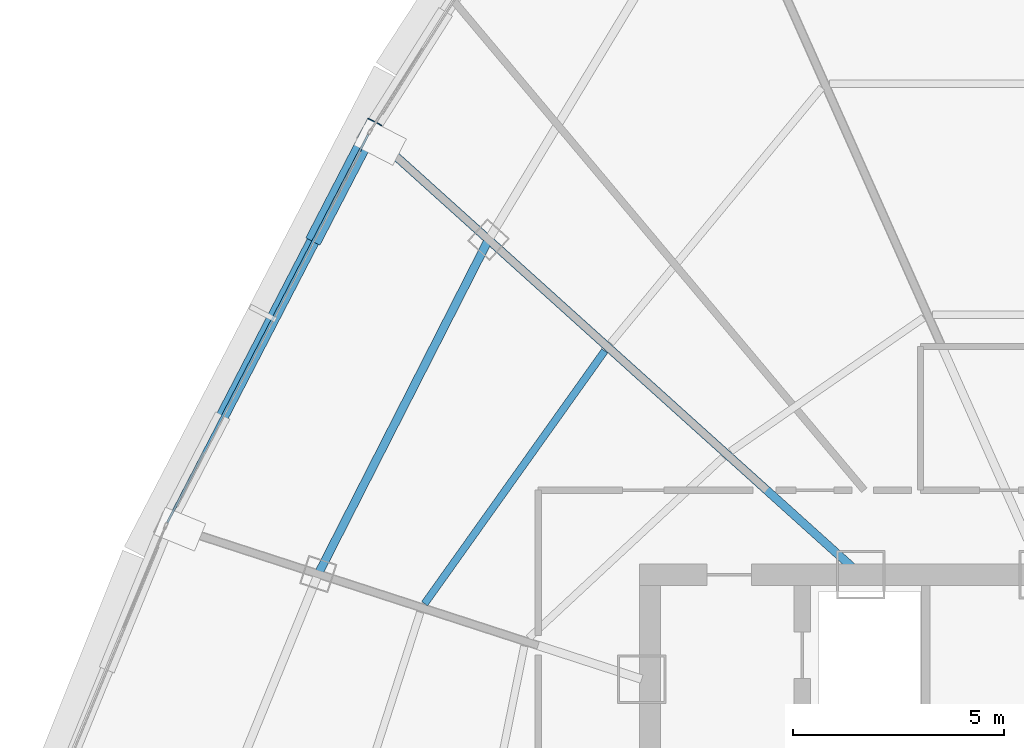
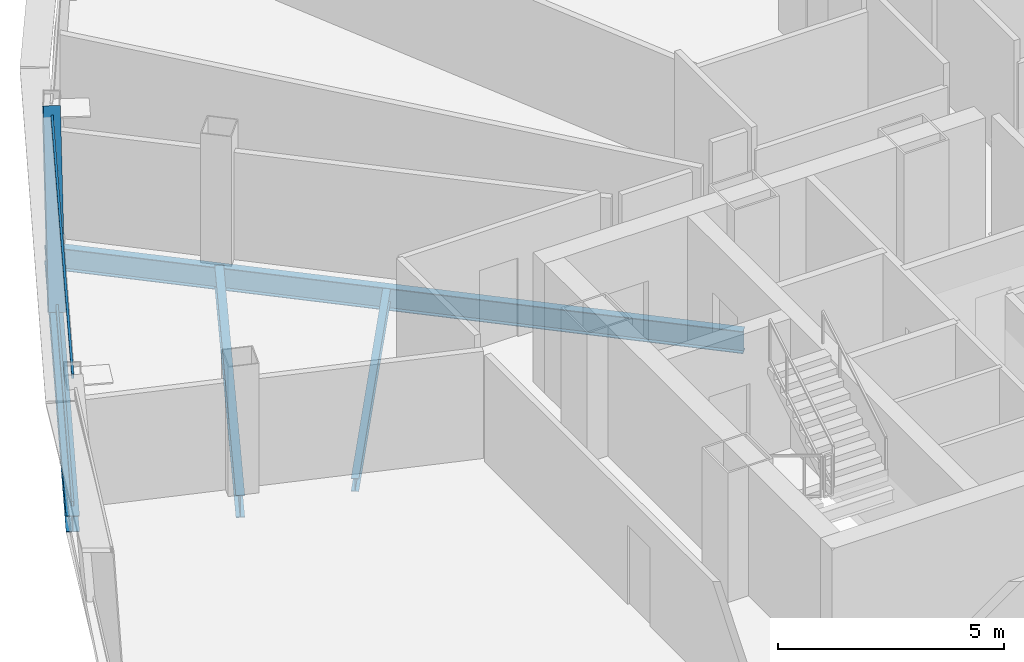
# One storey, part 9 of 34: 4 beams, 3 members, 1 element without a shape of its own.
"""IFC4 building model written with IfcOpenShell, lengths in metres."""

import ifcopenshell
import ifcopenshell.guid

model = None  # the IFC model being written
_history = None  # IfcOwnerHistory: only IFC2X3 demands one
_inside = {}  # id of a spatial element -> (the spatial element, [elements in it])
_under = {}  # id of a project, library or spatial element -> (it, [spatial elements below it])
_declared = {}  # id of a project -> (the project, [libraries it declares])
_typed = {}  # id of a type object -> (the type object, [elements of that type])
_made_of = {}  # id of a material, layer set ... -> (it, [elements and type objects made of it])


def new_model(schema):
    """Start an empty IFC model of exactly this schema.

    Asked for "IFC4X3", IfcOpenShell would pick the latest addendum, in which some entities
    have other attributes; the version numbers below select the first issue.
    IFC2X3 requires an IfcOwnerHistory on every rooted entity: one is made here for all.
    """
    global model, _history
    if schema == "IFC4X3":
        model = ifcopenshell.file(schema_version=(4, 3, 0, 0))
    else:
        model = ifcopenshell.file(schema=schema)
    _inside.clear()
    _under.clear()
    _declared.clear()
    _typed.clear()
    _made_of.clear()
    _history = None
    if model.schema == "IFC2X3":
        org = make("IfcOrganization", Name="unknown")
        user = make(
            "IfcPersonAndOrganization",
            ThePerson=make("IfcPerson", FamilyName="unknown"),
            TheOrganization=org,
        )
        app = make(
            "IfcApplication",
            ApplicationDeveloper=org,
            Version="unknown",
            ApplicationFullName="unknown",
            ApplicationIdentifier="unknown",
        )
        _history = make(
            "IfcOwnerHistory",
            OwningUser=user,
            OwningApplication=app,
            ChangeAction="ADDED",
            CreationDate=0,
        )
    return model


def make(cls, **values):
    """One entity of the class cls with the attributes given. An attribute that is None is left unset."""
    return model.create_entity(
        cls, **{name: value for name, value in values.items() if value is not None}
    )


def rooted(cls, **values):
    """An entity with a GlobalId (a new one), such as an element, a storey or a relation."""
    return make(cls, GlobalId=ifcopenshell.guid.new(), OwnerHistory=_history, **values)


def si_unit(unit_type, name, prefix=None):
    """IfcSIUnit, for example si_unit("LENGTHUNIT", "METRE", prefix="MILLI")."""
    return make("IfcSIUnit", UnitType=unit_type, Prefix=prefix, Name=name)


def assignment(units):
    """IfcUnitAssignment: the units of a project."""
    return None if units is None else make("IfcUnitAssignment", Units=units)


def point(xyz):
    """IfcCartesianPoint."""
    return None if xyz is None else make("IfcCartesianPoint", Coordinates=xyz)


def direction(xyz):
    """IfcDirection."""
    return None if xyz is None else make("IfcDirection", DirectionRatios=xyz)


def frame(location, z_axis=None, x_axis=None):
    """IfcAxis2Placement3D, a coordinate frame: its origin and axes. An axis left out is left unset."""
    return make(
        "IfcAxis2Placement3D",
        Location=point(location),
        Axis=direction(z_axis),
        RefDirection=direction(x_axis),
    )


def frame_2d(location, x_axis=None):
    """IfcAxis2Placement2D, a coordinate frame in the plane: its origin and x axis."""
    return make(
        "IfcAxis2Placement2D", Location=point(location), RefDirection=direction(x_axis)
    )


def origin():
    """The frame at (0, 0, 0) with its axes left unset."""
    return frame((0.0, 0.0, 0.0))


def origin_2d():
    """The frame at (0, 0) in the plane with its x axis left unset."""
    return frame_2d((0.0, 0.0))


def place(relative_to, where):
    """IfcLocalPlacement: puts the frame where relative to a parent placement (None: the world)."""
    return make(
        "IfcLocalPlacement", PlacementRelTo=relative_to, RelativePlacement=where
    )


def context(
    kind, dimensions, precision=None, world=None, true_north=None, identifier=None
):
    """IfcGeometricRepresentationContext, for example the 3D "Model" context."""
    return make(
        "IfcGeometricRepresentationContext",
        ContextIdentifier=identifier,
        ContextType=kind,
        CoordinateSpaceDimension=dimensions,
        Precision=precision,
        WorldCoordinateSystem=world,
        TrueNorth=true_north,
    )


def subcontext(parent, identifier, kind, view, scale=None):
    """IfcGeometricRepresentationSubContext, for example "Body" below "Model"."""
    return make(
        "IfcGeometricRepresentationSubContext",
        ContextIdentifier=identifier,
        ContextType=kind,
        ParentContext=parent,
        TargetScale=scale,
        TargetView=view,
    )


def project(units=None, contexts=None):
    """IfcProject with its units and contexts."""
    return rooted(
        "IfcProject",
        Name="project",
        RepresentationContexts=contexts,
        UnitsInContext=assignment(units),
    )


def spatial(cls, under=None, at=None, **own):
    """A site, building, storey or space (cls), placed at a placement, below another one or the project."""
    s = rooted(cls, ObjectPlacement=at, **own)
    if under is not None:
        _under.setdefault(under.id(), (under, []))[1].append(s)
    return s


def profile(cls, at=None, kind="AREA", **sizes):
    """A parametric profile (cls). Its sizes go by their IFC names, for example OverallWidth=200.0."""
    return make(cls, ProfileType=kind, Position=at, **sizes)


def hollow_rectangle(**sizes):
    """IfcRectangleHollowProfileDef."""
    return profile("IfcRectangleHollowProfileDef", **sizes)


def i_section(**sizes):
    """IfcIShapeProfileDef."""
    return profile("IfcIShapeProfileDef", **sizes)


def extrude(swept, where, along, depth):
    """IfcExtrudedAreaSolid: the profile swept, set in the frame where, extruded along a direction by depth."""
    return make(
        "IfcExtrudedAreaSolid",
        SweptArea=swept,
        Position=where,
        ExtrudedDirection=direction(along),
        Depth=depth,
    )


def shape(context_of_items, identifier, shape_type, items):
    """IfcShapeRepresentation: the items that make up one representation, for example the "Body"."""
    return make(
        "IfcShapeRepresentation",
        ContextOfItems=context_of_items,
        RepresentationIdentifier=identifier,
        RepresentationType=shape_type,
        Items=items,
    )


def source(mapping_origin, context_of_items, identifier, shape_type, items):
    """IfcRepresentationMap: a shape defined once, which mapped items show again and again."""
    return make(
        "IfcRepresentationMap",
        MappingOrigin=mapping_origin,
        MappedRepresentation=shape(context_of_items, identifier, shape_type, items),
    )


def transform(
    local_origin,
    x_axis=None,
    y_axis=None,
    z_axis=None,
    scale=None,
    scale2=None,
    scale3=None,
    uniform=True,
):
    """IfcCartesianTransformationOperator3D, or its non-uniform kind. x_axis, y_axis, z_axis: its Axis1, 2, 3."""
    if uniform:
        return make(
            "IfcCartesianTransformationOperator3D",
            Axis1=direction(x_axis),
            Axis2=direction(y_axis),
            LocalOrigin=point(local_origin),
            Scale=scale,
            Axis3=direction(z_axis),
        )
    return make(
        "IfcCartesianTransformationOperator3DnonUniform",
        Axis1=direction(x_axis),
        Axis2=direction(y_axis),
        LocalOrigin=point(local_origin),
        Scale=scale,
        Axis3=direction(z_axis),
        Scale2=scale2,
        Scale3=scale3,
    )


def mapped(mapping_source, mapping_target):
    """IfcMappedItem: shows the shape of a source again, moved by a transform."""
    return make(
        "IfcMappedItem", MappingSource=mapping_source, MappingTarget=mapping_target
    )


def material(Name=None, Category=None):
    """IfcMaterial."""
    return make("IfcMaterial", Name=Name, Category=Category)


def layer(
    of_material, thickness, ventilated=None, Name=None, Category=None, Priority=None
):
    """IfcMaterialLayer: one layer of a wall or slab, of a material (None: an air gap)."""
    return make(
        "IfcMaterialLayer",
        Material=of_material,
        LayerThickness=thickness,
        IsVentilated=ventilated,
        Name=Name,
        Category=Category,
        Priority=Priority,
    )


def layer_set(layers, Name=None):
    """IfcMaterialLayerSet."""
    return make("IfcMaterialLayerSet", MaterialLayers=layers, LayerSetName=Name)


def material_profile(
    of_material, cross_section, Name=None, Category=None, Priority=None
):
    """IfcMaterialProfile: a cross section and its material."""
    return make(
        "IfcMaterialProfile",
        Name=Name,
        Material=of_material,
        Profile=cross_section,
        Priority=Priority,
        Category=Category,
    )


def profile_set(profiles, Name=None, composite=None):
    """IfcMaterialProfileSet."""
    return make(
        "IfcMaterialProfileSet",
        Name=Name,
        MaterialProfiles=profiles,
        CompositeProfile=composite,
    )


def made_of(thing, what):
    """Note that an element or type object is made of a material, layer set ...; save() writes the relation."""
    if what is not None:
        _made_of.setdefault(what.id(), (what, []))[1].append(thing)
    return thing


def type_object(cls, material=None, **own):
    """A type object (cls), such as IfcWallType, which elements share."""
    return made_of(rooted(cls, **own), material)


def element(
    cls,
    number,
    at=None,
    inside=None,
    cuts=None,
    type_object=None,
    material=None,
    context=None,
    identifier="Body",
    shape_type=None,
    held_by="IfcProductDefinitionShape",
    body=None,
    shapes=None,
    **own,
):
    """One element of the class cls, such as IfcWall. Its Tag is "e" and its number.

    at: its placement. inside: the storey or other place that contains it. cuts: it is an
    opening in that element (IfcRelVoidsElement). A single representation is given by context,
    identifier, shape_type and body (its items); several are given by shapes. held_by: the class
    of the entity that holds the representations. save() writes the other relations.
    """
    e = rooted(cls, Tag="e%d" % number, ObjectPlacement=at, **own)
    if body is not None:
        shapes = [shape(context, identifier, shape_type, body)]
    if shapes is not None:
        e.Representation = make(held_by, Representations=shapes)
    if inside is not None:
        _inside.setdefault(inside.id(), (inside, []))[1].append(e)
    if cuts is not None:
        rooted(
            "IfcRelVoidsElement", RelatingBuildingElement=cuts, RelatedOpeningElement=e
        )
    if type_object is not None:
        _typed.setdefault(type_object.id(), (type_object, []))[1].append(e)
    return made_of(e, material)


def aggregate(whole, parts):
    """IfcRelAggregates: a whole, such as a stair, and the parts it consists of."""
    return rooted("IfcRelAggregates", RelatingObject=whole, RelatedObjects=parts)


def save(model, path):
    """Write the relations noted so far, then the file.

    IfcRelAggregates (storeys below a building ...), IfcRelContainedInSpatialStructure (elements
    in a storey), IfcRelDefinesByType, IfcRelAssociatesMaterial and IfcRelDeclares: one each for
    every whole, place, type object, material and project.
    """
    for whole, parts in _under.values():
        aggregate(whole, parts)
    for where, things in _inside.values():
        rooted(
            "IfcRelContainedInSpatialStructure",
            RelatedElements=things,
            RelatingStructure=where,
        )
    for kind, things in _typed.values():
        rooted("IfcRelDefinesByType", RelatedObjects=things, RelatingType=kind)
    for what, things in _made_of.values():
        rooted("IfcRelAssociatesMaterial", RelatedObjects=things, RelatingMaterial=what)
    for by, libraries in _declared.values():
        rooted("IfcRelDeclares", RelatingContext=by, RelatedDefinitions=libraries)
    model.write(path)


model = new_model("IFC4")

# Units and contexts
model_context = context("Model", 3, precision=1e-05, world=origin(), true_north=direction((0.0, 1.0)))
body_context = subcontext(model_context, "Body", "Model", "MODEL_VIEW")
ifc_project = project(units=[si_unit("LENGTHUNIT", "METRE"), si_unit("AREAUNIT", "SQUARE_METRE"), si_unit("VOLUMEUNIT", "CUBIC_METRE"), si_unit("PLANEANGLEUNIT", "RADIAN"), si_unit("MASSUNIT", "GRAM", prefix="KILO"), si_unit("THERMODYNAMICTEMPERATUREUNIT", "KELVIN"), si_unit("POWERUNIT", "WATT")], contexts=[model_context])

# Site, building, storey
site_placement = place(None, origin())
site = spatial("IfcSite", under=ifc_project, at=site_placement, CompositionType="ELEMENT")
building_placement = place(site_placement, origin())
building = spatial("IfcBuilding", under=site, at=building_placement, Name="Yunzhuo Pagoda Commons", CompositionType="ELEMENT")
storey_placement = place(building_placement, frame((0.0, 0.0, 333.010009765625)))
storey = spatial("IfcBuildingStorey", under=building, at=storey_placement, Name="L83", CompositionType="ELEMENT", Elevation=333.010009765625)

# Beams
ifc_material_1 = material(Name="Structural steel Q355B", Category="steel")
ifc_material_profile_1 = material_profile(ifc_material_1, i_section(OverallWidth=0.300048828125, OverallDepth=0.43994140625, WebThickness=0.010986328125, FlangeThickness=0.01806640625, at=origin_2d()), Name="Structural steel Q355B")
ifc_profile_set_1 = profile_set([ifc_material_profile_1], Name="Structural steel Q355B")
beam_type_1 = type_object("IfcBeamType", Name="B-SP2 Beam HM 440x300x11x18", PredefinedType="BEAM", material=ifc_profile_set_1)
shared_shape_1 = source(origin(), body_context, "Body", "SweptSolid", [
    extrude(i_section(OverallWidth=0.300048828125, OverallDepth=0.43994140625, WebThickness=0.010986328125, FlangeThickness=0.01806640625, at=origin_2d()), origin(), (0.0, 0.0, 1.0), 10.453369140625),
])
beam_1_placement = place(storey_placement, frame((29.15625, 50.6669921875, -0.47998046875), z_axis=(-0.459938764451, -0.887950636553, 0.0), x_axis=(0.887950636553, -0.459938764451, 0.0)))
element("IfcBeam", 1, at=beam_1_placement, inside=storey, type_object=beam_type_1, Name="L83 facade edge spandrel beam F3.2", PredefinedType="BEAM", context=body_context, shape_type="MappedRepresentation", body=[
    mapped(shared_shape_1, transform((0.0, 0.0, 0.0), scale=1.0)),
])
ifc_material_profile_2 = material_profile(ifc_material_1, i_section(OverallWidth=0.199951171875, OverallDepth=0.60009765625, WebThickness=0.010986328125, FlangeThickness=0.01708984375, at=origin_2d()), Name="Structural steel Q355B")
ifc_profile_set_2 = profile_set([ifc_material_profile_2], Name="Structural steel Q355B")
beam_type_2 = type_object("IfcBeamType", Name="B-RG3 Beam HN 600x200x11x17", PredefinedType="BEAM", material=ifc_profile_set_2)
shared_shape_2 = source(origin(), body_context, "Body", "SweptSolid", [
    extrude(i_section(OverallWidth=0.199951171875, OverallDepth=0.60009765625, WebThickness=0.010986328125, FlangeThickness=0.01708984375, at=origin_2d()), origin(), (0.0, 0.0, 1.0), 8.87939453125),
])
beam_2_placement = place(storey_placement, frame((31.975341796875, 48.128662109375, -0.56005859375), z_axis=(-0.453723535687, -0.891142498798, 0.0), x_axis=(0.891142498798, -0.453723535687, 0.0)))
element("IfcBeam", 2, at=beam_2_placement, inside=storey, type_object=beam_type_2, Name="L83 column-ring beam 10", PredefinedType="BEAM", context=body_context, shape_type="MappedRepresentation", body=[
    mapped(shared_shape_2, transform((0.0, 0.0, 0.0), scale=1.0)),
])
shared_shape_3 = source(origin(), body_context, "Body", "SweptSolid", [
    extrude(i_section(OverallWidth=0.199951171875, OverallDepth=0.60009765625, WebThickness=0.010986328125, FlangeThickness=0.01708984375, at=origin_2d()), origin(), (0.0, 0.0, 1.0), 15.487548828125),
])
beam_3_placement = place(storey_placement, frame((29.271484375, 50.563232421875, -0.56005859375), z_axis=(0.743142849048, -0.6691328014, 0.0), x_axis=(0.6691328014, 0.743142849048, 0.0)))
element("IfcBeam", 3, at=beam_3_placement, inside=storey, type_object=beam_type_2, Name="L83 radial floor girder F3C2", PredefinedType="BEAM", context=body_context, shape_type="MappedRepresentation", body=[
    mapped(shared_shape_3, transform((0.0, 0.0, 0.0), scale=1.0)),
])
ifc_material_profile_3 = material_profile(ifc_material_1, i_section(OverallWidth=0.175048828125, OverallDepth=0.35009765625, WebThickness=0.007080078125, FlangeThickness=0.010986328125, at=origin_2d()), Name="Structural steel Q355B")
ifc_profile_set_3 = profile_set([ifc_material_profile_3], Name="Structural steel Q355B")
beam_type_3 = type_object("IfcBeamType", Name="B-JS2 Joist HN 350x175x7x11", PredefinedType="JOIST", material=ifc_profile_set_3)
shared_shape_4 = source(origin(), body_context, "Body", "SweptSolid", [
    extrude(i_section(OverallWidth=0.175048828125, OverallDepth=0.35009765625, WebThickness=0.007080078125, FlangeThickness=0.010986328125, at=origin_2d()), origin(), (0.0, 0.0, 1.0), 7.347900390625),
])
beam_4_placement = place(storey_placement, frame((34.726318359375, 45.497802734375, -0.43505859375), z_axis=(-0.580294898948, -0.814406428177, 0.0), x_axis=(0.814406428177, -0.580294898948, 0.0)))
element("IfcBeam", 4, at=beam_4_placement, inside=storey, type_object=beam_type_3, Name="L83 composite ring joist 2.10", PredefinedType="JOIST", context=body_context, shape_type="MappedRepresentation", body=[
    mapped(shared_shape_4, transform((0.0, 0.0, 0.0), scale=1.0)),
])

# Member
ifc_material_profile_4 = material_profile(ifc_material_1, hollow_rectangle(XDim=0.3798828125, YDim=0.719970703125, WallThickness=0.02001953125, at=origin_2d()), Name="Structural steel Q355B")
ifc_profile_set_4 = profile_set([ifc_material_profile_4], Name="Structural steel Q355B")
member_type_1 = type_object("IfcMemberType", Name="M-DL3 Brace BOX 720x380x20", PredefinedType="BRACE", material=ifc_profile_set_4)
shared_shape_5 = source(origin(), body_context, "Body", "SweptSolid", [
    extrude(hollow_rectangle(XDim=0.3798828125, YDim=0.719970703125, WallThickness=0.02001953125, at=origin_2d()), origin(), (0.0, 0.0, 1.0), 4.570556640625),
])
member_1_placement = place(storey_placement, frame((27.954345703125, 48.3466796875, -0.260009765625), z_axis=(0.2629608306, 0.507653815565, 0.820450611014), x_axis=(-0.887945352452, 0.459948965711, 0.0)))
element("IfcMember", 5, at=member_1_placement, inside=storey, type_object=member_type_1, Name="L83 facade diamond brace F3.2L", PredefinedType="BRACE", context=body_context, shape_type="MappedRepresentation", body=[
    mapped(shared_shape_5, transform((0.0, 0.0, 0.0), scale=1.0)),
])

# Curtain wall, members
ifc_material_2 = material(Name="Anodized aluminium 6063-T6", Category="aluminium")
ifc_layer = layer(ifc_material_2, 0.139892578125)
ifc_layer_set = layer_set([ifc_layer], Name="Anodized aluminium 6063-T6")
curtain_wall_type = type_object("IfcCurtainWallType", Name="CW-HI High-Zone Ribbon Curtain Wall", PredefinedType="NOTDEFINED", material=ifc_layer_set)
curtain_wall_placement = place(storey_placement, origin())
curtain_wall = element("IfcCurtainWall", 6, at=curtain_wall_placement, inside=storey, type_object=curtain_wall_type, Name="L83 curtain wall CW-L83-F3B3", PredefinedType="NOTDEFINED")
ifc_material_profile_5 = material_profile(ifc_material_2, hollow_rectangle(XDim=0.054931640625, YDim=0.1201171875, WallThickness=0.00341796875, at=origin_2d()), Name="Anodized aluminium 6063-T6")
ifc_profile_set_5 = profile_set([ifc_material_profile_5], Name="Anodized aluminium 6063-T6")
member_type_2 = type_object("IfcMemberType", Name="CW-HI-T Transom RHS 120x55x3.5", PredefinedType="USERDEFINED", material=ifc_profile_set_5)
shared_shape_6 = source(origin(), body_context, "Body", "SweptSolid", [
    extrude(hollow_rectangle(XDim=0.054931640625, YDim=0.1201171875, WallThickness=0.00341796875, at=origin_2d()), origin(), (0.0, 0.0, 1.0), 10.33349609375),
])
member_2_placement = place(storey_placement, frame((29.128662109375, 50.614013671875, 0.027587890625), z_axis=(-0.459926104171, -0.887957194183, 0.0), x_axis=(0.887957194183, -0.459926104171, 0.0)))
member_2 = element("IfcMember", 7, at=member_2_placement, type_object=member_type_2, Name="CW transom 1.1", ObjectType="TRANSOM", PredefinedType="USERDEFINED", context=body_context, shape_type="MappedRepresentation", body=[
    mapped(shared_shape_6, transform((0.0, 0.0, 0.0), scale=1.0)),
])
member_3_placement = place(storey_placement, frame((29.128662109375, 50.614013671875, 3.46240234375), z_axis=(-0.459926104171, -0.887957194183, 0.0), x_axis=(0.887957194183, -0.459926104171, 0.0)))
member_3 = element("IfcMember", 8, at=member_3_placement, type_object=member_type_2, Name="CW transom 1.2", ObjectType="TRANSOM", PredefinedType="USERDEFINED", context=body_context, shape_type="MappedRepresentation", body=[
    mapped(shared_shape_6, transform((0.0, 0.0, 0.0), scale=1.0)),
])
aggregate(curtain_wall, [member_2, member_3])

save(model, "model.ifc")
